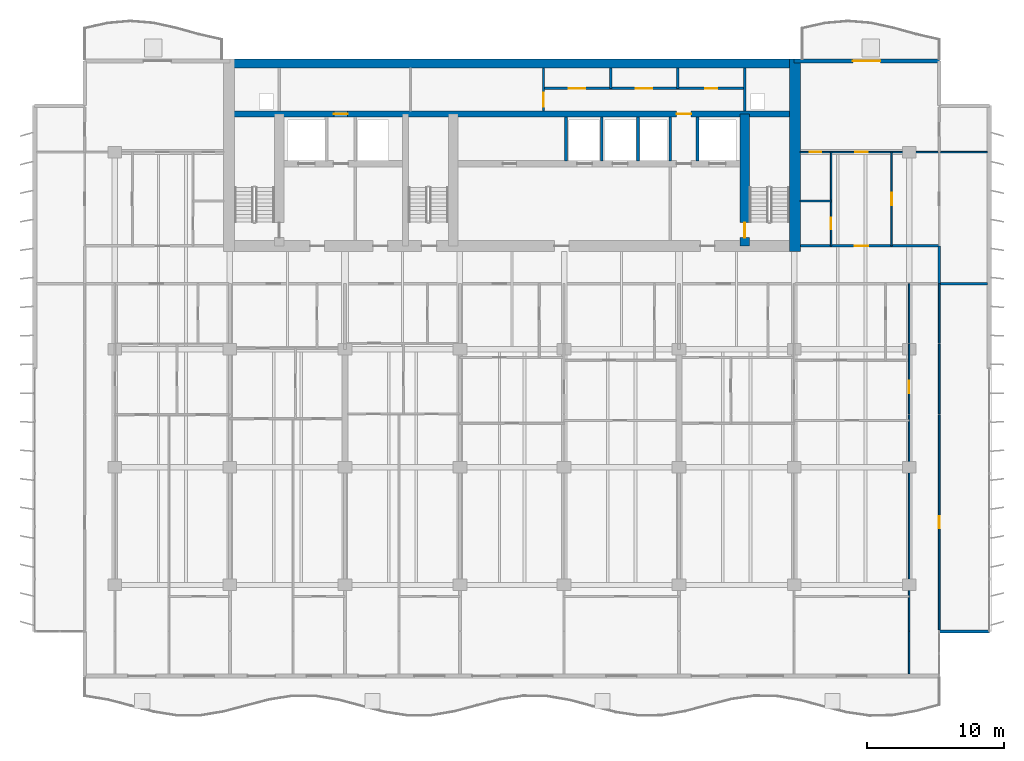
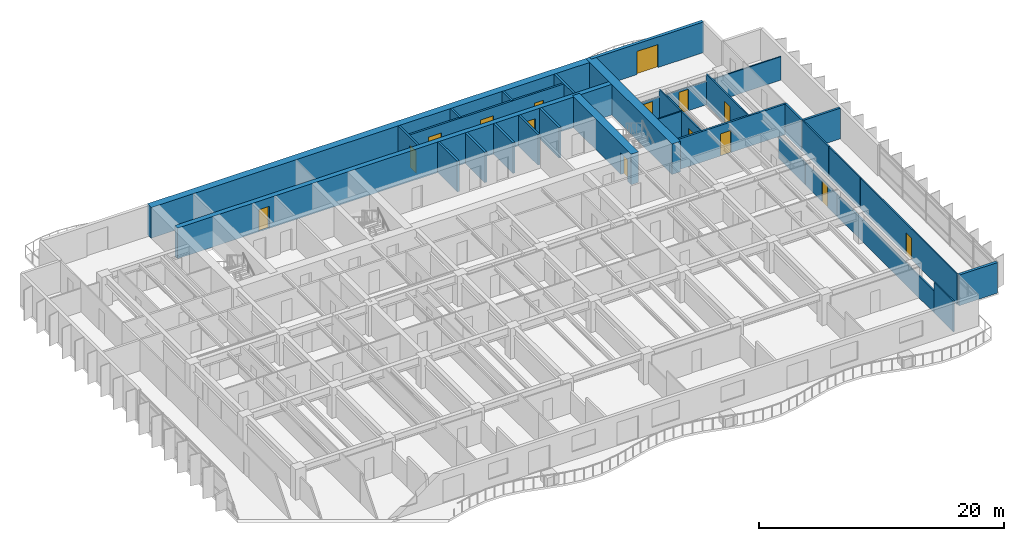
# One storey, part 11 of 16: 30 walls, 15 doors, 15 openings.
"""IFC4 building model written with IfcOpenShell, lengths in metres."""

import ifcopenshell
import ifcopenshell.guid

model = None  # the IFC model being written
_history = None  # IfcOwnerHistory: only IFC2X3 demands one
_inside = {}  # id of a spatial element -> (the spatial element, [elements in it])
_under = {}  # id of a project, library or spatial element -> (it, [spatial elements below it])
_declared = {}  # id of a project -> (the project, [libraries it declares])
_typed = {}  # id of a type object -> (the type object, [elements of that type])
_made_of = {}  # id of a material, layer set ... -> (it, [elements and type objects made of it])


def new_model(schema):
    """Start an empty IFC model of exactly this schema.

    Asked for "IFC4X3", IfcOpenShell would pick the latest addendum, in which some entities
    have other attributes; the version numbers below select the first issue.
    IFC2X3 requires an IfcOwnerHistory on every rooted entity: one is made here for all.
    """
    global model, _history
    if schema == "IFC4X3":
        model = ifcopenshell.file(schema_version=(4, 3, 0, 0))
    else:
        model = ifcopenshell.file(schema=schema)
    _inside.clear()
    _under.clear()
    _declared.clear()
    _typed.clear()
    _made_of.clear()
    _history = None
    if model.schema == "IFC2X3":
        org = make("IfcOrganization", Name="unknown")
        user = make(
            "IfcPersonAndOrganization",
            ThePerson=make("IfcPerson", FamilyName="unknown"),
            TheOrganization=org,
        )
        app = make(
            "IfcApplication",
            ApplicationDeveloper=org,
            Version="unknown",
            ApplicationFullName="unknown",
            ApplicationIdentifier="unknown",
        )
        _history = make(
            "IfcOwnerHistory",
            OwningUser=user,
            OwningApplication=app,
            ChangeAction="ADDED",
            CreationDate=0,
        )
    return model


def make(cls, **values):
    """One entity of the class cls with the attributes given. An attribute that is None is left unset."""
    return model.create_entity(
        cls, **{name: value for name, value in values.items() if value is not None}
    )


def rooted(cls, **values):
    """An entity with a GlobalId (a new one), such as an element, a storey or a relation."""
    return make(cls, GlobalId=ifcopenshell.guid.new(), OwnerHistory=_history, **values)


def si_unit(unit_type, name, prefix=None):
    """IfcSIUnit, for example si_unit("LENGTHUNIT", "METRE", prefix="MILLI")."""
    return make("IfcSIUnit", UnitType=unit_type, Prefix=prefix, Name=name)


def assignment(units):
    """IfcUnitAssignment: the units of a project."""
    return None if units is None else make("IfcUnitAssignment", Units=units)


def point(xyz):
    """IfcCartesianPoint."""
    return None if xyz is None else make("IfcCartesianPoint", Coordinates=xyz)


def direction(xyz):
    """IfcDirection."""
    return None if xyz is None else make("IfcDirection", DirectionRatios=xyz)


def frame(location, z_axis=None, x_axis=None):
    """IfcAxis2Placement3D, a coordinate frame: its origin and axes. An axis left out is left unset."""
    return make(
        "IfcAxis2Placement3D",
        Location=point(location),
        Axis=direction(z_axis),
        RefDirection=direction(x_axis),
    )


def frame_2d(location, x_axis=None):
    """IfcAxis2Placement2D, a coordinate frame in the plane: its origin and x axis."""
    return make(
        "IfcAxis2Placement2D", Location=point(location), RefDirection=direction(x_axis)
    )


def origin():
    """The frame at (0, 0, 0) with its axes left unset."""
    return frame((0.0, 0.0, 0.0))


def place(relative_to, where):
    """IfcLocalPlacement: puts the frame where relative to a parent placement (None: the world)."""
    return make(
        "IfcLocalPlacement", PlacementRelTo=relative_to, RelativePlacement=where
    )


def context(
    kind, dimensions, precision=None, world=None, true_north=None, identifier=None
):
    """IfcGeometricRepresentationContext, for example the 3D "Model" context."""
    return make(
        "IfcGeometricRepresentationContext",
        ContextIdentifier=identifier,
        ContextType=kind,
        CoordinateSpaceDimension=dimensions,
        Precision=precision,
        WorldCoordinateSystem=world,
        TrueNorth=true_north,
    )


def subcontext(parent, identifier, kind, view, scale=None):
    """IfcGeometricRepresentationSubContext, for example "Body" below "Model"."""
    return make(
        "IfcGeometricRepresentationSubContext",
        ContextIdentifier=identifier,
        ContextType=kind,
        ParentContext=parent,
        TargetScale=scale,
        TargetView=view,
    )


def project(units=None, contexts=None):
    """IfcProject with its units and contexts."""
    return rooted(
        "IfcProject",
        Name="project",
        RepresentationContexts=contexts,
        UnitsInContext=assignment(units),
    )


def spatial(cls, under=None, at=None, **own):
    """A site, building, storey or space (cls), placed at a placement, below another one or the project."""
    s = rooted(cls, ObjectPlacement=at, **own)
    if under is not None:
        _under.setdefault(under.id(), (under, []))[1].append(s)
    return s


def profile(cls, at=None, kind="AREA", **sizes):
    """A parametric profile (cls). Its sizes go by their IFC names, for example OverallWidth=200.0."""
    return make(cls, ProfileType=kind, Position=at, **sizes)


def rectangle(**sizes):
    """IfcRectangleProfileDef."""
    return profile("IfcRectangleProfileDef", **sizes)


def extrude(swept, where, along, depth):
    """IfcExtrudedAreaSolid: the profile swept, set in the frame where, extruded along a direction by depth."""
    return make(
        "IfcExtrudedAreaSolid",
        SweptArea=swept,
        Position=where,
        ExtrudedDirection=direction(along),
        Depth=depth,
    )


def shape(context_of_items, identifier, shape_type, items):
    """IfcShapeRepresentation: the items that make up one representation, for example the "Body"."""
    return make(
        "IfcShapeRepresentation",
        ContextOfItems=context_of_items,
        RepresentationIdentifier=identifier,
        RepresentationType=shape_type,
        Items=items,
    )


def material(Name=None, Category=None):
    """IfcMaterial."""
    return make("IfcMaterial", Name=Name, Category=Category)


def layer(
    of_material, thickness, ventilated=None, Name=None, Category=None, Priority=None
):
    """IfcMaterialLayer: one layer of a wall or slab, of a material (None: an air gap)."""
    return make(
        "IfcMaterialLayer",
        Material=of_material,
        LayerThickness=thickness,
        IsVentilated=ventilated,
        Name=Name,
        Category=Category,
        Priority=Priority,
    )


def layer_set(layers, Name=None):
    """IfcMaterialLayerSet."""
    return make("IfcMaterialLayerSet", MaterialLayers=layers, LayerSetName=Name)


def made_of(thing, what):
    """Note that an element or type object is made of a material, layer set ...; save() writes the relation."""
    if what is not None:
        _made_of.setdefault(what.id(), (what, []))[1].append(thing)
    return thing


def type_object(cls, material=None, **own):
    """A type object (cls), such as IfcWallType, which elements share."""
    return made_of(rooted(cls, **own), material)


def element(
    cls,
    number,
    at=None,
    inside=None,
    cuts=None,
    type_object=None,
    material=None,
    context=None,
    identifier="Body",
    shape_type=None,
    held_by="IfcProductDefinitionShape",
    body=None,
    shapes=None,
    **own,
):
    """One element of the class cls, such as IfcWall. Its Tag is "e" and its number.

    at: its placement. inside: the storey or other place that contains it. cuts: it is an
    opening in that element (IfcRelVoidsElement). A single representation is given by context,
    identifier, shape_type and body (its items); several are given by shapes. held_by: the class
    of the entity that holds the representations. save() writes the other relations.
    """
    e = rooted(cls, Tag="e%d" % number, ObjectPlacement=at, **own)
    if body is not None:
        shapes = [shape(context, identifier, shape_type, body)]
    if shapes is not None:
        e.Representation = make(held_by, Representations=shapes)
    if inside is not None:
        _inside.setdefault(inside.id(), (inside, []))[1].append(e)
    if cuts is not None:
        rooted(
            "IfcRelVoidsElement", RelatingBuildingElement=cuts, RelatedOpeningElement=e
        )
    if type_object is not None:
        _typed.setdefault(type_object.id(), (type_object, []))[1].append(e)
    return made_of(e, material)


def fill(opening, filler):
    """IfcRelFillsElement: the door or window that sits in an opening."""
    return rooted(
        "IfcRelFillsElement",
        RelatingOpeningElement=opening,
        RelatedBuildingElement=filler,
    )


def aggregate(whole, parts):
    """IfcRelAggregates: a whole, such as a stair, and the parts it consists of."""
    return rooted("IfcRelAggregates", RelatingObject=whole, RelatedObjects=parts)


def save(model, path):
    """Write the relations noted so far, then the file.

    IfcRelAggregates (storeys below a building ...), IfcRelContainedInSpatialStructure (elements
    in a storey), IfcRelDefinesByType, IfcRelAssociatesMaterial and IfcRelDeclares: one each for
    every whole, place, type object, material and project.
    """
    for whole, parts in _under.values():
        aggregate(whole, parts)
    for where, things in _inside.values():
        rooted(
            "IfcRelContainedInSpatialStructure",
            RelatedElements=things,
            RelatingStructure=where,
        )
    for kind, things in _typed.values():
        rooted("IfcRelDefinesByType", RelatedObjects=things, RelatingType=kind)
    for what, things in _made_of.values():
        rooted("IfcRelAssociatesMaterial", RelatedObjects=things, RelatingMaterial=what)
    for by, libraries in _declared.values():
        rooted("IfcRelDeclares", RelatingContext=by, RelatedDefinitions=libraries)
    model.write(path)


model = new_model("IFC4")

# Units and contexts
model_context = context("Model", 3, precision=1e-05, world=origin(), true_north=direction((0.0, 1.0)))
body_context = subcontext(model_context, "Body", "Model", "MODEL_VIEW")
ifc_project = project(units=[si_unit("LENGTHUNIT", "METRE"), si_unit("AREAUNIT", "SQUARE_METRE"), si_unit("VOLUMEUNIT", "CUBIC_METRE"), si_unit("PLANEANGLEUNIT", "RADIAN"), si_unit("MASSUNIT", "GRAM", prefix="KILO")], contexts=[model_context])

# Site, building, storey
site_placement = place(None, origin())
site = spatial("IfcSite", under=ifc_project, at=site_placement, CompositionType="ELEMENT")
building_placement = place(site_placement, origin())
building = spatial("IfcBuilding", under=site, at=building_placement, Name="Caelmar Bay Residences", CompositionType="ELEMENT")
storey_placement = place(building_placement, frame((0.0, 0.0, 142.199951171875)))
storey = spatial("IfcBuildingStorey", under=building, at=storey_placement, Name="L39", CompositionType="ELEMENT", Elevation=142.199951171875)

# Wall, opening, door
ifc_material_1 = material(Name="Concrete f'c 55 MPa (8,000 psi)", Category="concrete")
ifc_layer_1 = layer(ifc_material_1, 0.699951171875)
ifc_layer_set_1 = layer_set([ifc_layer_1], Name="Concrete f'c 55 MPa (8,000 psi)")
wall_type_1 = type_object("IfcWallType", Name="SW-COR-700", PredefinedType="SHEAR", material=ifc_layer_set_1)
wall_1_placement = place(storey_placement, frame((55.89990234375, 36.949951171875, 0.0), z_axis=(0.0, 0.0, 1.0), x_axis=(0.0, 1.0, 0.0)))
wall_1 = element("IfcWall", 1, at=wall_1_placement, inside=storey, type_object=wall_type_1, Name="L39 Core Structural Web Wall ST2W", PredefinedType="SHEAR", context=body_context, shape_type="SweptSolid", body=[
    extrude(rectangle(XDim=9.625, YDim=0.699951171875, at=frame_2d((4.8125, 0.0))), origin(), (0.0, 0.0, 1.0), 3.050048828125),
])
opening_1_placement = place(wall_1_placement, frame((0.60009765625, 0.0, 0.0)))
opening_1 = element("IfcOpeningElement", 2, at=opening_1_placement, cuts=wall_1, Name="Opening D-L39-110", PredefinedType="OPENING", context=body_context, shape_type="SweptSolid", body=[
    extrude(rectangle(XDim=1.10009765625, YDim=2.14990234375, at=frame_2d((0.550048828125, 1.074951171875))), frame((0.0, 0.35986328125, 0.0), z_axis=(0.0, -1.0, 0.0), x_axis=(1.0, 0.0, 0.0)), (0.0, 0.0, 1.0), 0.719970703125),
])
ifc_material_2 = material(Name="Fire-rated steel and walnut architectural door assembly", Category="steel")
ifc_layer_2 = layer(ifc_material_2, 0.050048828125)
ifc_layer_set_2 = layer_set([ifc_layer_2], Name="Fire-rated steel and walnut architectural door assembly")
door_type_1 = type_object("IfcDoorType", Name="D-STAIR-1100", OperationType="NOTDEFINED", PredefinedType="DOOR", material=ifc_layer_set_2)
door_1_placement = place(opening_1_placement, origin())
door_1 = element("IfcDoor", 3, at=door_1_placement, inside=storey, type_object=door_type_1, Name="L39 Firefighting Lobby East Door", OperationType="SINGLE_SWING_RIGHT", OverallHeight=2.14990234375, OverallWidth=1.10009765625, PredefinedType="DOOR", context=body_context, shape_type="SweptSolid", body=[
    extrude(rectangle(XDim=1.10009765625, YDim=2.14990234375, at=frame_2d((0.550048828125, 1.074951171875))), frame((0.0, 0.02490234375, 0.0), z_axis=(0.0, -1.0, 0.0), x_axis=(1.0, 0.0, 0.0)), (0.0, 0.0, 1.0), 0.050048828125),
])
fill(opening_1, door_1)

# Walls
ifc_material_3 = material(Name="Concrete f'c 70 MPa (10,000 psi)", Category="concrete")
ifc_layer_3 = layer(ifc_material_3, 0.800048828125)
ifc_layer_set_3 = layer_set([ifc_layer_3], Name="Concrete f'c 70 MPa (10,000 psi)")
wall_type_2 = type_object("IfcWallType", Name="SW-COR-800", PredefinedType="SHEAR", material=ifc_layer_set_3)
wall_2_placement = place(storey_placement, frame((59.550048828125, 36.550048828125, 0.0), z_axis=(0.0, 0.0, 1.0), x_axis=(0.0, 1.0, 0.0)))
element("IfcWall", 4, at=wall_2_placement, inside=storey, type_object=wall_type_2, Name="L39 Rear Core East Shear Wall", PredefinedType="SHEAR", context=body_context, shape_type="SweptSolid", body=[
    extrude(rectangle(XDim=14.050048828125, YDim=0.800048828125, at=frame_2d((7.02490234375, 0.0))), origin(), (0.0, 0.0, 1.0), 3.050048828125),
])
ifc_layer_4 = layer(ifc_material_1, 0.64990234375)
ifc_layer_set_4 = layer_set([ifc_layer_4], Name="Concrete f'c 55 MPa (8,000 psi)")
wall_type_3 = type_object("IfcWallType", Name="SW-CORN-650", PredefinedType="SHEAR", material=ifc_layer_set_4)
wall_3_placement = place(storey_placement, frame((17.85009765625, 50.27490234375, 0.0), z_axis=(0.0, 0.0, 1.0), x_axis=(1.0, 0.0, 0.0)))
element("IfcWall", 5, at=wall_3_placement, inside=storey, type_object=wall_type_3, Name="L39 Rear Core North Shear Wall", PredefinedType="SHEAR", context=body_context, shape_type="SweptSolid", body=[
    extrude(rectangle(XDim=42.099853515625, YDim=0.64990234375, at=frame_2d((21.0498046875, 0.0))), origin(), (0.0, 0.0, 1.0), 3.050048828125),
])

# Wall, openings, doors
ifc_layer_5 = layer(ifc_material_3, 0.449951171875)
ifc_layer_set_5 = layer_set([ifc_layer_5], Name="Concrete f'c 70 MPa (10,000 psi)")
wall_type_4 = type_object("IfcWallType", Name="SW-WEB-450", PredefinedType="SHEAR", material=ifc_layer_set_5)
wall_4_placement = place(storey_placement, frame((18.25, 46.574951171875, 0.0), z_axis=(0.0, 0.0, 1.0), x_axis=(1.0, 0.0, 0.0)))
wall_4 = element("IfcWall", 6, at=wall_4_placement, inside=storey, type_object=wall_type_4, Name="L39 Core Structural Web Wall SRVS", PredefinedType="SHEAR", context=body_context, shape_type="SweptSolid", body=[
    extrude(rectangle(XDim=41.300048828125, YDim=0.449951171875, at=frame_2d((20.64990234375, 0.0))), origin(), (0.0, 0.0, 1.0), 3.050048828125),
])
opening_2_placement = place(wall_4_placement, frame((7.64990234375, 0.0, 0.0)))
opening_2 = element("IfcOpeningElement", 7, at=opening_2_placement, cuts=wall_4, Name="Opening D-L39-115", PredefinedType="OPENING", context=body_context, shape_type="SweptSolid", body=[
    extrude(rectangle(XDim=1.0, YDim=2.199951171875, at=frame_2d((0.5, 1.10009765625))), frame((0.0, 0.23486328125, 0.0), z_axis=(0.0, -1.0, 0.0), x_axis=(1.0, 0.0, 0.0)), (0.0, 0.0, 1.0), 0.469970703125),
])
opening_3_placement = place(wall_4_placement, frame((32.675048828125, 0.0, 0.0)))
opening_3 = element("IfcOpeningElement", 8, at=opening_3_placement, cuts=wall_4, Name="Opening D-L39-116", PredefinedType="OPENING", context=body_context, shape_type="SweptSolid", body=[
    extrude(rectangle(XDim=1.050048828125, YDim=2.14990234375, at=frame_2d((0.52490234375, 1.074951171875))), frame((0.0, 0.23486328125, 0.0), z_axis=(0.0, -1.0, 0.0), x_axis=(1.0, 0.0, 0.0)), (0.0, 0.0, 1.0), 0.469970703125),
])
ifc_layer_6 = layer(ifc_material_2, 0.050048828125)
ifc_layer_set_6 = layer_set([ifc_layer_6], Name="Fire-rated steel and walnut architectural door assembly")
door_type_2 = type_object("IfcDoorType", Name="D-FSAE-1050", OperationType="NOTDEFINED", PredefinedType="DOOR", material=ifc_layer_set_6)
door_2_placement = place(opening_3_placement, origin())
door_2 = element("IfcDoor", 9, at=door_2_placement, inside=storey, type_object=door_type_2, Name="L39 East Core Service Corridor Door", OperationType="SINGLE_SWING_RIGHT", OverallHeight=2.14990234375, OverallWidth=1.050048828125, PredefinedType="DOOR", context=body_context, shape_type="SweptSolid", body=[
    extrude(rectangle(XDim=1.050048828125, YDim=2.14990234375, at=frame_2d((0.52490234375, 1.074951171875))), frame((0.0, 0.02490234375, 0.0), z_axis=(0.0, -1.0, 0.0), x_axis=(1.0, 0.0, 0.0)), (0.0, 0.0, 1.0), 0.050048828125),
])
fill(opening_3, door_2)
ifc_layer_7 = layer(ifc_material_2, 0.050048828125)
ifc_layer_set_7 = layer_set([ifc_layer_7], Name="Fire-rated steel and walnut architectural door assembly")
door_type_3 = type_object("IfcDoorType", Name="D-UNIT-1000", OperationType="NOTDEFINED", PredefinedType="DOOR", material=ifc_layer_set_7)
door_3_placement = place(opening_2_placement, origin())
door_3 = element("IfcDoor", 10, at=door_3_placement, inside=storey, type_object=door_type_3, Name="L39 Package Concierge Office Door", OperationType="SINGLE_SWING_LEFT", OverallHeight=2.199951171875, OverallWidth=1.0, PredefinedType="DOOR", context=body_context, shape_type="SweptSolid", body=[
    extrude(rectangle(XDim=1.0, YDim=2.199951171875, at=frame_2d((0.5, 1.10009765625))), frame((0.0, 0.02490234375, 0.0), z_axis=(0.0, -1.0, 0.0), x_axis=(1.0, 0.0, 0.0)), (0.0, 0.0, 1.0), 0.050048828125),
])
fill(opening_2, door_3)

# Wall, opening, door
ifc_material_4 = material(Name="Double-stud acoustic fire-rated gypsum partition 180 mm")
ifc_layer_8 = layer(ifc_material_4, 0.179931640625)
ifc_layer_set_8 = layer_set([ifc_layer_8], Name="Double-stud acoustic fire-rated gypsum partition 180 mm")
wall_type_5 = type_object("IfcWallType", Name="W-COR-200", PredefinedType="PARTITIONING", material=ifc_layer_set_8)
wall_5_placement = place(storey_placement, frame((41.199951171875, 46.794921875, 0.0), z_axis=(0.0, 0.0, 1.0), x_axis=(0.0, 1.0, 0.0)))
wall_5 = element("IfcWall", 11, at=wall_5_placement, inside=storey, type_object=wall_type_5, Name="L39 Partition Wall V046", PredefinedType="PARTITIONING", context=body_context, shape_type="SweptSolid", body=[
    extrude(rectangle(XDim=3.16015625, YDim=0.179931640625, at=frame_2d((1.580078125, 0.0))), origin(), (0.0, 0.0, 1.0), 3.050048828125),
])
opening_4_placement = place(wall_5_placement, frame((0.327392578125, 0.0, 0.0)))
opening_4 = element("IfcOpeningElement", 12, at=opening_4_placement, cuts=wall_5, Name="Opening D-L39-117", PredefinedType="OPENING", context=body_context, shape_type="SweptSolid", body=[
    extrude(rectangle(XDim=1.0, YDim=2.199951171875, at=frame_2d((0.5, 1.10009765625))), frame((0.0, 0.099853515625, 0.0), z_axis=(0.0, -1.0, 0.0), x_axis=(1.0, 0.0, 0.0)), (0.0, 0.0, 1.0), 0.199951171875),
])
door_4_placement = place(opening_4_placement, origin())
door_4 = element("IfcDoor", 13, at=door_4_placement, inside=storey, type_object=door_type_3, Name="L39 Engineering Control Office Door", OperationType="SINGLE_SWING_LEFT", OverallHeight=2.199951171875, OverallWidth=1.0, PredefinedType="DOOR", context=body_context, shape_type="SweptSolid", body=[
    extrude(rectangle(XDim=1.0, YDim=2.199951171875, at=frame_2d((0.5, 1.10009765625))), frame((0.0, 0.02490234375, 0.0), z_axis=(0.0, -1.0, 0.0), x_axis=(1.0, 0.0, 0.0)), (0.0, 0.0, 1.0), 0.050048828125),
])
fill(opening_4, door_4)

# Walls
for number, where, z_axis, x_axis, name in (
    (14, (46.10009765625, 48.449951171875, 0.0), (0.0, 0.0, 1.0), (0.0, 1.0, 0.0), "L39 Partition Wall V053"),
    (15, (51.0, 48.449951171875, 0.0), (0.0, 0.0, 1.0), (0.0, 1.0, 0.0), "L39 Partition Wall V059"),
):
    element("IfcWall", number, at=place(storey_placement, frame(where, z_axis=z_axis, x_axis=x_axis)), inside=storey, type_object=wall_type_5, Name=name, PredefinedType="PARTITIONING", context=body_context, shape_type="SweptSolid", body=[
        extrude(rectangle(XDim=1.505126953125, YDim=0.179931640625, at=frame_2d((0.75244140625, 0.0))), origin(), (0.0, 0.0, 1.0), 3.050048828125),
    ])
wall_6_placement = place(storey_placement, frame((70.10009765625, 34.205078125, 0.0), z_axis=(0.0, 0.0, 1.0), x_axis=(0.0, 1.0, 0.0)))
element("IfcWall", 16, at=wall_6_placement, inside=storey, type_object=wall_type_5, Name="L39 Partition Wall V085", PredefinedType="PARTITIONING", context=body_context, shape_type="SweptSolid", body=[
    extrude(rectangle(XDim=2.744873046875, YDim=0.179931640625, at=frame_2d((1.37255859375, 0.0))), origin(), (0.0, 0.0, 1.0), 3.050048828125),
])

# Wall, opening, door
wall_7_placement = place(storey_placement, frame((59.955078125, 36.949951171875, 0.0), z_axis=(0.0, 0.0, 1.0), x_axis=(1.0, 0.0, 0.0)))
wall_7 = element("IfcWall", 17, at=wall_7_placement, inside=storey, type_object=wall_type_5, Name="L39 Partition Wall H113", PredefinedType="PARTITIONING", context=body_context, shape_type="SweptSolid", body=[
    extrude(rectangle(XDim=10.14501953125, YDim=0.179931640625, at=frame_2d((5.072509765625, 0.0))), origin(), (0.0, 0.0, 1.0), 3.050048828125),
])
opening_5_placement = place(wall_7_placement, frame((3.95703125, 0.0, 0.0)))
opening_5 = element("IfcOpeningElement", 18, at=opening_5_placement, cuts=wall_7, Name="Opening D-L39-173", PredefinedType="OPENING", context=body_context, shape_type="SweptSolid", body=[
    extrude(rectangle(XDim=1.0, YDim=2.199951171875, at=frame_2d((0.5, 1.10009765625))), frame((0.0, 0.099853515625, 0.0), z_axis=(0.0, -1.0, 0.0), x_axis=(1.0, 0.0, 0.0)), (0.0, 0.0, 1.0), 0.199951171875),
])
door_5_placement = place(opening_5_placement, origin())
door_5 = element("IfcDoor", 19, at=door_5_placement, inside=storey, type_object=door_type_3, Name="L39 Residence EA Kitchen Door", OperationType="SINGLE_SWING_LEFT", OverallHeight=2.199951171875, OverallWidth=1.0, PredefinedType="DOOR", context=body_context, shape_type="SweptSolid", body=[
    extrude(rectangle(XDim=1.0, YDim=2.199951171875, at=frame_2d((0.5, 1.10009765625))), frame((0.0, 0.02490234375, 0.0), z_axis=(0.0, -1.0, 0.0), x_axis=(1.0, 0.0, 0.0)), (0.0, 0.0, 1.0), 0.050048828125),
])
fill(opening_5, door_5)

# Wall, openings, doors
wall_8_placement = place(storey_placement, frame((41.199951171875, 48.449951171875, 0.0), z_axis=(0.0, 0.0, 1.0), x_axis=(1.0, 0.0, 0.0)))
wall_8 = element("IfcWall", 20, at=wall_8_placement, inside=storey, type_object=wall_type_5, Name="L39 Partition Wall H118", PredefinedType="PARTITIONING", context=body_context, shape_type="SweptSolid", body=[
    extrude(rectangle(XDim=14.699951171875, YDim=0.179931640625, at=frame_2d((7.35009765625, 0.0))), origin(), (0.0, 0.0, 1.0), 3.050048828125),
])
opening_6_placement = place(wall_8_placement, frame((1.85009765625, 0.0, 0.0)))
opening_6 = element("IfcOpeningElement", 21, at=opening_6_placement, cuts=wall_8, Name="Opening D-L39-118", PredefinedType="OPENING", context=body_context, shape_type="SweptSolid", body=[
    extrude(rectangle(XDim=1.199951171875, YDim=2.199951171875, at=frame_2d((0.60009765625, 1.10009765625))), frame((0.0, 0.099853515625, 0.0), z_axis=(0.0, -1.0, 0.0), x_axis=(1.0, 0.0, 0.0)), (0.0, 0.0, 1.0), 0.199951171875),
])
opening_7_placement = place(wall_8_placement, frame((6.75, 0.0, 0.0)))
opening_7 = element("IfcOpeningElement", 22, at=opening_7_placement, cuts=wall_8, Name="Opening D-L39-119", PredefinedType="OPENING", context=body_context, shape_type="SweptSolid", body=[
    extrude(rectangle(XDim=1.199951171875, YDim=2.199951171875, at=frame_2d((0.60009765625, 1.10009765625))), frame((0.0, 0.099853515625, 0.0), z_axis=(0.0, -1.0, 0.0), x_axis=(1.0, 0.0, 0.0)), (0.0, 0.0, 1.0), 0.199951171875),
])
opening_8_placement = place(wall_8_placement, frame((11.824951171875, 0.0, 0.0)))
opening_8 = element("IfcOpeningElement", 23, at=opening_8_placement, cuts=wall_8, Name="Opening D-L39-120", PredefinedType="OPENING", context=body_context, shape_type="SweptSolid", body=[
    extrude(rectangle(XDim=0.85009765625, YDim=2.10009765625, at=frame_2d((0.425048828125, 1.050048828125))), frame((0.0, 0.099853515625, 0.0), z_axis=(0.0, -1.0, 0.0), x_axis=(1.0, 0.0, 0.0)), (0.0, 0.0, 1.0), 0.199951171875),
])
ifc_layer_9 = layer(ifc_material_2, 0.050048828125)
ifc_layer_set_9 = layer_set([ifc_layer_9], Name="Fire-rated steel and walnut architectural door assembly")
door_type_4 = type_object("IfcDoorType", Name="D-CORE-850", OperationType="NOTDEFINED", PredefinedType="DOOR", material=ifc_layer_set_9)
door_6_placement = place(opening_8_placement, origin())
door_6 = element("IfcDoor", 24, at=door_6_placement, inside=storey, type_object=door_type_4, Name="L39 Accessible Staff WC Door", OperationType="SINGLE_SWING_RIGHT", OverallHeight=2.10009765625, OverallWidth=0.85009765625, PredefinedType="DOOR", context=body_context, shape_type="SweptSolid", body=[
    extrude(rectangle(XDim=0.85009765625, YDim=2.10009765625, at=frame_2d((0.425048828125, 1.050048828125))), frame((0.0, 0.02490234375, 0.0), z_axis=(0.0, -1.0, 0.0), x_axis=(1.0, 0.0, 0.0)), (0.0, 0.0, 1.0), 0.050048828125),
])
fill(opening_8, door_6)
ifc_layer_10 = layer(ifc_material_2, 0.050048828125)
ifc_layer_set_10 = layer_set([ifc_layer_10], Name="Fire-rated steel and walnut architectural door assembly")
door_type_5 = type_object("IfcDoorType", Name="D-PLANT-1200", OperationType="NOTDEFINED", PredefinedType="DOOR", material=ifc_layer_set_10)
door_7_placement = place(opening_6_placement, origin())
door_7 = element("IfcDoor", 25, at=door_7_placement, inside=storey, type_object=door_type_5, Name="L39 Electrical Closet Door", OperationType="SINGLE_SWING_RIGHT", OverallHeight=2.199951171875, OverallWidth=1.199951171875, PredefinedType="DOOR", context=body_context, shape_type="SweptSolid", body=[
    extrude(rectangle(XDim=1.199951171875, YDim=2.199951171875, at=frame_2d((0.60009765625, 1.10009765625))), frame((0.0, 0.02490234375, 0.0), z_axis=(0.0, -1.0, 0.0), x_axis=(1.0, 0.0, 0.0)), (0.0, 0.0, 1.0), 0.050048828125),
])
fill(opening_6, door_7)
door_8_placement = place(opening_7_placement, origin())
door_8 = element("IfcDoor", 26, at=door_8_placement, inside=storey, type_object=door_type_5, Name="L39 Housekeeping Linen Closet Door", OperationType="SINGLE_SWING_LEFT", OverallHeight=2.199951171875, OverallWidth=1.199951171875, PredefinedType="DOOR", context=body_context, shape_type="SweptSolid", body=[
    extrude(rectangle(XDim=1.199951171875, YDim=2.199951171875, at=frame_2d((0.60009765625, 1.10009765625))), frame((0.0, 0.02490234375, 0.0), z_axis=(0.0, -1.0, 0.0), x_axis=(1.0, 0.0, 0.0)), (0.0, 0.0, 1.0), 0.050048828125),
])
fill(opening_7, door_8)

# Wall
ifc_material_5 = material(Name="Precast concrete f'c 40 MPa (6,000 psi)", Category="concrete")
ifc_layer_11 = layer(ifc_material_5, 0.25)
ifc_layer_set_11 = layer_set([ifc_layer_11], Name="Precast concrete f'c 40 MPa (6,000 psi)")
wall_type_6 = type_object("IfcWallType", Name="W-EXT-250", PredefinedType="ELEMENTEDWALL", material=ifc_layer_set_11)
wall_9_placement = place(storey_placement, frame((70.10009765625, 8.800048828125, 0.0), z_axis=(0.0, 0.0, 1.0), x_axis=(1.0, 0.0, 0.0)))
element("IfcWall", 27, at=wall_9_placement, inside=storey, type_object=wall_type_6, Name="L39 SE Notch Return Wall", PredefinedType="ELEMENTEDWALL", context=body_context, shape_type="SweptSolid", body=[
    extrude(rectangle(XDim=3.64990234375, YDim=0.25, at=frame_2d((1.824951171875, 0.0))), origin(), (0.0, 0.0, 1.0), 3.050048828125),
])

# Wall, opening, door
ifc_layer_12 = layer(ifc_material_5, 0.300048828125)
ifc_layer_set_12 = layer_set([ifc_layer_12], Name="Precast concrete f'c 40 MPa (6,000 psi)")
wall_type_7 = type_object("IfcWallType", Name="W-EXT-300", PredefinedType="STANDARD", material=ifc_layer_set_12)
wall_10_placement = place(storey_placement, frame((59.5, 50.449951171875, 0.0), z_axis=(0.0, 0.0, 1.0), x_axis=(1.0, 0.0, 0.0)))
wall_10 = element("IfcWall", 28, at=wall_10_placement, inside=storey, type_object=wall_type_7, Name="L39 North-East Wing Exterior Wall", PredefinedType="STANDARD", context=body_context, shape_type="SweptSolid", body=[
    extrude(rectangle(XDim=10.60009765625, YDim=0.300048828125, at=frame_2d((5.300048828125, 0.0))), origin(), (0.0, 0.0, 1.0), 3.050048828125),
])
opening_9_placement = place(wall_10_placement, frame((4.300048828125, 0.0, 0.0)))
opening_9 = element("IfcOpeningElement", 29, at=opening_9_placement, cuts=wall_10, Name="Opening L39-BDNE", PredefinedType="OPENING", context=body_context, shape_type="SweptSolid", body=[
    extrude(rectangle(XDim=2.0, YDim=2.300048828125, at=frame_2d((1.0, 1.14990234375))), frame((0.0, 0.159912109375, 0.0), z_axis=(0.0, -1.0, 0.0), x_axis=(1.0, 0.0, 0.0)), (0.0, 0.0, 1.0), 0.320068359375),
])
ifc_material_6 = material(Name="Anodised bronze thermally broken sliding glass door", Category="glass")
ifc_layer_13 = layer(ifc_material_6, 0.050048828125)
ifc_layer_set_13 = layer_set([ifc_layer_13], Name="Anodised bronze thermally broken sliding glass door")
door_type_6 = type_object("IfcDoorType", Name="D-BAL-2000", OperationType="DOUBLE_DOOR_SLIDING", PredefinedType="DOOR", material=ifc_layer_set_13)
door_9_placement = place(opening_9_placement, origin())
door_9 = element("IfcDoor", 30, at=door_9_placement, inside=storey, type_object=door_type_6, Name="L39 North-East Balcony Door", OperationType="DOUBLE_DOOR_SLIDING", OverallHeight=2.300048828125, OverallWidth=2.0, PredefinedType="DOOR", context=body_context, shape_type="SweptSolid", body=[
    extrude(rectangle(XDim=2.0, YDim=2.300048828125, at=frame_2d((1.0, 1.14990234375))), frame((0.0, 0.02490234375, 0.0), z_axis=(0.0, -1.0, 0.0), x_axis=(1.0, 0.0, 0.0)), (0.0, 0.0, 1.0), 0.050048828125),
])
fill(opening_9, door_9)

# Walls
ifc_material_7 = material(Name="Fire-rated masonry and gypsum shaftliner assembly 200 mm", Category="masonry")
ifc_layer_14 = layer(ifc_material_7, 0.199951171875)
ifc_layer_set_14 = layer_set([ifc_layer_14], Name="Fire-rated masonry and gypsum shaftliner assembly 200 mm")
wall_type_8 = type_object("IfcWallType", Name="W-FSAE-200", PredefinedType="PARTITIONING", material=ifc_layer_set_14)
for number, where, z_axis, x_axis, name in (
    (31, (42.85009765625, 43.169921875, 0.0), (0.0, 0.0, 1.0), (0.0, 1.0, 0.0), "L39 Partition Wall V051"),
    (32, (45.449951171875, 43.169921875, 0.0), (0.0, 0.0, 1.0), (0.0, 1.0, 0.0), "L39 Partition Wall V052"),
    (33, (48.10009765625, 43.169921875, 0.0), (0.0, 0.0, 1.0), (0.0, 1.0, 0.0), "L39 Partition Wall V054"),
    (34, (50.449951171875, 43.169921875, 0.0), (0.0, 0.0, 1.0), (0.0, 1.0, 0.0), "L39 Partition Wall V058"),
    (35, (52.449951171875, 43.169921875, 0.0), (0.0, 0.0, 1.0), (0.0, 1.0, 0.0), "L39 Partition Wall V064"),
):
    element("IfcWall", number, at=place(storey_placement, frame(where, z_axis=z_axis, x_axis=x_axis)), inside=storey, type_object=wall_type_8, Name=name, PredefinedType="PARTITIONING", context=body_context, shape_type="SweptSolid", body=[
        extrude(rectangle(XDim=3.18505859375, YDim=0.199951171875, at=frame_2d((1.592529296875, 0.0))), origin(), (0.0, 0.0, 1.0), 3.050048828125),
    ])
wall_11_placement = place(storey_placement, frame((55.89990234375, 46.794921875, 0.0), z_axis=(0.0, 0.0, 1.0), x_axis=(0.0, 1.0, 0.0)))
element("IfcWall", 36, at=wall_11_placement, inside=storey, type_object=wall_type_8, Name="L39 Partition Wall V067", PredefinedType="PARTITIONING", context=body_context, shape_type="SweptSolid", body=[
    extrude(rectangle(XDim=3.16015625, YDim=0.199951171875, at=frame_2d((1.580078125, 0.0))), origin(), (0.0, 0.0, 1.0), 3.050048828125),
])

# Wall, opening, door
ifc_material_8 = material(Name="Acoustic metal-stud gypsum partition 120 mm")
ifc_layer_15 = layer(ifc_material_8, 0.1201171875)
ifc_layer_set_15 = layer_set([ifc_layer_15], Name="Acoustic metal-stud gypsum partition 120 mm")
wall_type_9 = type_object("IfcWallType", Name="W-PRT-120", PredefinedType="PARTITIONING", material=ifc_layer_set_15)
wall_12_placement = place(storey_placement, frame((62.199951171875, 36.949951171875, 0.0), z_axis=(0.0, 0.0, 1.0), x_axis=(0.0, 1.0, 0.0)))
wall_12 = element("IfcWall", 37, at=wall_12_placement, inside=storey, type_object=wall_type_9, Name="L39 Partition Wall V074", PredefinedType="PARTITIONING", context=body_context, shape_type="SweptSolid", body=[
    extrude(rectangle(XDim=6.85009765625, YDim=0.1201171875, at=frame_2d((3.425048828125, 0.0))), origin(), (0.0, 0.0, 1.0), 3.050048828125),
])
opening_10_placement = place(wall_12_placement, frame((1.218994140625, 0.0, 0.0)))
opening_10 = element("IfcOpeningElement", 38, at=opening_10_placement, cuts=wall_12, Name="Opening D-L39-175", PredefinedType="OPENING", context=body_context, shape_type="SweptSolid", body=[
    extrude(rectangle(XDim=0.85009765625, YDim=2.10009765625, at=frame_2d((0.425048828125, 1.050048828125))), frame((0.0, 0.070068359375, 0.0), z_axis=(0.0, -1.0, 0.0), x_axis=(1.0, 0.0, 0.0)), (0.0, 0.0, 1.0), 0.14013671875),
])
ifc_material_9 = material(Name="Solid walnut timber interior door leaf and frame", Category="wood")
ifc_layer_16 = layer(ifc_material_9, 0.050048828125)
ifc_layer_set_16 = layer_set([ifc_layer_16], Name="Solid walnut timber interior door leaf and frame")
door_type_7 = type_object("IfcDoorType", Name="D-BATH-850", OperationType="NOTDEFINED", PredefinedType="DOOR", material=ifc_layer_set_16)
door_10_placement = place(opening_10_placement, origin())
door_10 = element("IfcDoor", 39, at=door_10_placement, inside=storey, type_object=door_type_7, Name="L39 Residence EA Walk-In Closet Door", OperationType="SINGLE_SWING_LEFT", OverallHeight=2.10009765625, OverallWidth=0.85009765625, PredefinedType="DOOR", context=body_context, shape_type="SweptSolid", body=[
    extrude(rectangle(XDim=0.85009765625, YDim=2.10009765625, at=frame_2d((0.425048828125, 1.050048828125))), frame((0.0, 0.02490234375, 0.0), z_axis=(0.0, -1.0, 0.0), x_axis=(1.0, 0.0, 0.0)), (0.0, 0.0, 1.0), 0.050048828125),
])
fill(opening_10, door_10)

wall_13_placement = place(storey_placement, frame((66.6240234375, 36.949951171875, 0.0), z_axis=(0.0, 0.0, 1.0), x_axis=(0.0, 1.0, 0.0)))
wall_13 = element("IfcWall", 40, at=wall_13_placement, inside=storey, type_object=wall_type_9, Name="L39 Partition Wall V077", PredefinedType="PARTITIONING", context=body_context, shape_type="SweptSolid", body=[
    extrude(rectangle(XDim=6.85009765625, YDim=0.1201171875, at=frame_2d((3.425048828125, 0.0))), origin(), (0.0, 0.0, 1.0), 3.050048828125),
])
opening_11_placement = place(wall_13_placement, frame((2.97509765625, 0.0, 0.0)))
opening_11 = element("IfcOpeningElement", 41, at=opening_11_placement, cuts=wall_13, Name="Opening D-L39-172", PredefinedType="OPENING", context=body_context, shape_type="SweptSolid", body=[
    extrude(rectangle(XDim=0.89990234375, YDim=2.14990234375, at=frame_2d((0.449951171875, 1.074951171875))), frame((0.0, 0.070068359375, 0.0), z_axis=(0.0, -1.0, 0.0), x_axis=(1.0, 0.0, 0.0)), (0.0, 0.0, 1.0), 0.14013671875),
])
ifc_layer_17 = layer(ifc_material_9, 0.050048828125)
ifc_layer_set_17 = layer_set([ifc_layer_17], Name="Solid walnut timber interior door leaf and frame")
door_type_8 = type_object("IfcDoorType", Name="D-ROOM-900", OperationType="NOTDEFINED", PredefinedType="DOOR", material=ifc_layer_set_17)
door_11_placement = place(opening_11_placement, origin())
door_11 = element("IfcDoor", 42, at=door_11_placement, inside=storey, type_object=door_type_8, Name="L39 Residence EA Dining Room Door", OperationType="SINGLE_SWING_RIGHT", OverallHeight=2.14990234375, OverallWidth=0.89990234375, PredefinedType="DOOR", context=body_context, shape_type="SweptSolid", body=[
    extrude(rectangle(XDim=0.89990234375, YDim=2.14990234375, at=frame_2d((0.449951171875, 1.074951171875))), frame((0.0, 0.02490234375, 0.0), z_axis=(0.0, -1.0, 0.0), x_axis=(1.0, 0.0, 0.0)), (0.0, 0.0, 1.0), 0.050048828125),
])
fill(opening_11, door_11)

# Walls
wall_14_placement = place(storey_placement, frame((67.89990234375, 5.695068359375, 0.0), z_axis=(0.0, 0.0, 1.0), x_axis=(0.0, 1.0, 0.0)))
element("IfcWall", 43, at=wall_14_placement, inside=storey, type_object=wall_type_9, Name="L39 Partition Wall V078", PredefinedType="PARTITIONING", context=body_context, shape_type="SweptSolid", body=[
    extrude(rectangle(XDim=3.10498046875, YDim=0.1201171875, at=frame_2d((1.552490234375, 0.0))), origin(), (0.0, 0.0, 1.0), 3.050048828125),
])
wall_15_placement = place(storey_placement, frame((67.89990234375, 8.840087890625, 0.0), z_axis=(0.0, 0.0, 1.0), x_axis=(0.0, 1.0, 0.0)))
element("IfcWall", 44, at=wall_15_placement, inside=storey, type_object=wall_type_9, Name="L39 Partition Wall V079", PredefinedType="PARTITIONING", context=body_context, shape_type="SweptSolid", body=[
    extrude(rectangle(XDim=15.789794921875, YDim=0.1201171875, at=frame_2d((7.89501953125, 0.0))), origin(), (0.0, 0.0, 1.0), 2.174072265625),
])

# Wall, opening, door
wall_16_placement = place(storey_placement, frame((67.89990234375, 24.68994140625, 0.0), z_axis=(0.0, 0.0, 1.0), x_axis=(0.0, 1.0, 0.0)))
wall_16 = element("IfcWall", 45, at=wall_16_placement, inside=storey, type_object=wall_type_9, Name="L39 Partition Wall V080", PredefinedType="PARTITIONING", context=body_context, shape_type="SweptSolid", body=[
    extrude(rectangle(XDim=5.090087890625, YDim=0.1201171875, at=frame_2d((2.544921875, 0.0))), origin(), (0.0, 0.0, 1.0), 2.174072265625),
])
opening_12_placement = place(wall_16_placement, frame((1.5048828125, 0.0, 0.0)))
opening_12 = element("IfcOpeningElement", 46, at=opening_12_placement, cuts=wall_16, Name="Opening D-L39-162", PredefinedType="OPENING", context=body_context, shape_type="SweptSolid", body=[
    extrude(rectangle(XDim=0.89990234375, YDim=2.1240234375, at=frame_2d((0.449951171875, 1.06201171875))), frame((0.0, 0.070068359375, 0.0), z_axis=(0.0, -1.0, 0.0), x_axis=(1.0, 0.0, 0.0)), (0.0, 0.0, 1.0), 0.14013671875),
])
door_12_placement = place(opening_12_placement, origin())
door_12 = element("IfcDoor", 47, at=door_12_placement, inside=storey, type_object=door_type_8, Name="L39 Residence 05 East Apartment Hall Door", OperationType="SINGLE_SWING_RIGHT", OverallHeight=2.1240234375, OverallWidth=0.89990234375, PredefinedType="DOOR", context=body_context, shape_type="SweptSolid", body=[
    extrude(rectangle(XDim=0.89990234375, YDim=2.1240234375, at=frame_2d((0.449951171875, 1.06201171875))), frame((0.0, 0.02490234375, 0.0), z_axis=(0.0, -1.0, 0.0), x_axis=(1.0, 0.0, 0.0)), (0.0, 0.0, 1.0), 0.050048828125),
])
fill(opening_12, door_12)

# Wall
wall_17_placement = place(storey_placement, frame((67.89990234375, 29.840087890625, 0.0), z_axis=(0.0, 0.0, 1.0), x_axis=(0.0, 1.0, 0.0)))
element("IfcWall", 48, at=wall_17_placement, inside=storey, type_object=wall_type_9, Name="L39 Partition Wall V081", PredefinedType="PARTITIONING", context=body_context, shape_type="SweptSolid", body=[
    extrude(rectangle(XDim=4.35986328125, YDim=0.1201171875, at=frame_2d((2.179931640625, 0.0))), origin(), (0.0, 0.0, 1.0), 2.174072265625),
])

# Wall, opening, door
wall_18_placement = place(storey_placement, frame((70.10009765625, 8.919921875, 0.0), z_axis=(0.0, 0.0, 1.0), x_axis=(0.0, 1.0, 0.0)))
wall_18 = element("IfcWall", 49, at=wall_18_placement, inside=storey, type_object=wall_type_9, Name="L39 Partition Wall V082", PredefinedType="PARTITIONING", context=body_context, shape_type="SweptSolid", body=[
    extrude(rectangle(XDim=15.7099609375, YDim=0.1201171875, at=frame_2d((7.85498046875, 0.0))), origin(), (0.0, 0.0, 1.0), 3.050048828125),
])
opening_13_placement = place(wall_18_placement, frame((7.405029296875, 0.0, 0.0)))
opening_13 = element("IfcOpeningElement", 50, at=opening_13_placement, cuts=wall_18, Name="Opening D-L39-164", PredefinedType="OPENING", context=body_context, shape_type="SweptSolid", body=[
    extrude(rectangle(XDim=0.89990234375, YDim=2.14990234375, at=frame_2d((0.449951171875, 1.074951171875))), frame((0.0, 0.070068359375, 0.0), z_axis=(0.0, -1.0, 0.0), x_axis=(1.0, 0.0, 0.0)), (0.0, 0.0, 1.0), 0.14013671875),
])
door_13_placement = place(opening_13_placement, origin())
door_13 = element("IfcDoor", 51, at=door_13_placement, inside=storey, type_object=door_type_8, Name="L39 Residence 05 Penthouse East Salon Door", OperationType="SINGLE_SWING_RIGHT", OverallHeight=2.14990234375, OverallWidth=0.89990234375, PredefinedType="DOOR", context=body_context, shape_type="SweptSolid", body=[
    extrude(rectangle(XDim=0.89990234375, YDim=2.14990234375, at=frame_2d((0.449951171875, 1.074951171875))), frame((0.0, 0.02490234375, 0.0), z_axis=(0.0, -1.0, 0.0), x_axis=(1.0, 0.0, 0.0)), (0.0, 0.0, 1.0), 0.050048828125),
])
fill(opening_13, door_13)

# Walls
wall_19_placement = place(storey_placement, frame((70.10009765625, 24.68994140625, 0.0), z_axis=(0.0, 0.0, 1.0), x_axis=(0.0, 1.0, 0.0)))
element("IfcWall", 52, at=wall_19_placement, inside=storey, type_object=wall_type_9, Name="L39 Partition Wall V083", PredefinedType="PARTITIONING", context=body_context, shape_type="SweptSolid", body=[
    extrude(rectangle(XDim=5.090087890625, YDim=0.1201171875, at=frame_2d((2.544921875, 0.0))), origin(), (0.0, 0.0, 1.0), 3.050048828125),
])
wall_20_placement = place(storey_placement, frame((70.10009765625, 29.840087890625, 0.0), z_axis=(0.0, 0.0, 1.0), x_axis=(0.0, 1.0, 0.0)))
element("IfcWall", 53, at=wall_20_placement, inside=storey, type_object=wall_type_9, Name="L39 Partition Wall V084", PredefinedType="PARTITIONING", context=body_context, shape_type="SweptSolid", body=[
    extrude(rectangle(XDim=4.35986328125, YDim=0.1201171875, at=frame_2d((2.179931640625, 0.0))), origin(), (0.0, 0.0, 1.0), 3.050048828125),
])
wall_21_placement = place(storey_placement, frame((59.945068359375, 40.238037109375, 0.0), z_axis=(0.0, 0.0, 1.0), x_axis=(1.0, 0.0, 0.0)))
element("IfcWall", 54, at=wall_21_placement, inside=storey, type_object=wall_type_9, Name="L39 Partition Wall H115", PredefinedType="PARTITIONING", context=body_context, shape_type="SweptSolid", body=[
    extrude(rectangle(XDim=2.2548828125, YDim=0.1201171875, at=frame_2d((1.12744140625, 0.0))), origin(), (0.0, 0.0, 1.0), 3.050048828125),
])

# Wall, openings, doors
wall_22_placement = place(storey_placement, frame((59.945068359375, 43.800048828125, 0.0), z_axis=(0.0, 0.0, 1.0), x_axis=(1.0, 0.0, 0.0)))
wall_22 = element("IfcWall", 55, at=wall_22_placement, inside=storey, type_object=wall_type_9, Name="L39 Partition Wall H117", PredefinedType="PARTITIONING", context=body_context, shape_type="SweptSolid", body=[
    extrude(rectangle(XDim=13.659912109375, YDim=0.1201171875, at=frame_2d((6.830078125, 0.0))), origin(), (0.0, 0.0, 1.0), 2.339111328125),
])
opening_14_placement = place(wall_22_placement, frame((4.01708984375, 0.0, 0.0)))
opening_14 = element("IfcOpeningElement", 56, at=opening_14_placement, cuts=wall_22, Name="Opening D-L39-174", PredefinedType="OPENING", context=body_context, shape_type="SweptSolid", body=[
    extrude(rectangle(XDim=0.89990234375, YDim=2.14990234375, at=frame_2d((0.449951171875, 1.074951171875))), frame((0.0, 0.070068359375, 0.0), z_axis=(0.0, -1.0, 0.0), x_axis=(1.0, 0.0, 0.0)), (0.0, 0.0, 1.0), 0.14013671875),
])
opening_15_placement = place(wall_22_placement, frame((0.702392578125, 0.0, 0.0)))
opening_15 = element("IfcOpeningElement", 57, at=opening_15_placement, cuts=wall_22, Name="Opening D-L39-176", PredefinedType="OPENING", context=body_context, shape_type="SweptSolid", body=[
    extrude(rectangle(XDim=0.85009765625, YDim=2.10009765625, at=frame_2d((0.425048828125, 1.050048828125))), frame((0.0, 0.070068359375, 0.0), z_axis=(0.0, -1.0, 0.0), x_axis=(1.0, 0.0, 0.0)), (0.0, 0.0, 1.0), 0.14013671875),
])
door_14_placement = place(opening_15_placement, origin())
door_14 = element("IfcDoor", 58, at=door_14_placement, inside=storey, type_object=door_type_7, Name="L39 Residence EA Bathroom Door", OperationType="SINGLE_SWING_RIGHT", OverallHeight=2.10009765625, OverallWidth=0.85009765625, PredefinedType="DOOR", context=body_context, shape_type="SweptSolid", body=[
    extrude(rectangle(XDim=0.85009765625, YDim=2.10009765625, at=frame_2d((0.425048828125, 1.050048828125))), frame((0.0, 0.02490234375, 0.0), z_axis=(0.0, -1.0, 0.0), x_axis=(1.0, 0.0, 0.0)), (0.0, 0.0, 1.0), 0.050048828125),
])
fill(opening_15, door_14)
door_15_placement = place(opening_14_placement, origin())
door_15 = element("IfcDoor", 59, at=door_15_placement, inside=storey, type_object=door_type_8, Name="L39 Residence EA Studio Living and Sleeping Room Door", OperationType="SINGLE_SWING_RIGHT", OverallHeight=2.14990234375, OverallWidth=0.89990234375, PredefinedType="DOOR", context=body_context, shape_type="SweptSolid", body=[
    extrude(rectangle(XDim=0.89990234375, YDim=2.14990234375, at=frame_2d((0.449951171875, 1.074951171875))), frame((0.0, 0.02490234375, 0.0), z_axis=(0.0, -1.0, 0.0), x_axis=(1.0, 0.0, 0.0)), (0.0, 0.0, 1.0), 0.050048828125),
])
fill(opening_14, door_15)

# Wall
ifc_material_10 = material(Name="Acoustic twin-stud fire-rated inter-tenancy partition 200 mm")
ifc_layer_18 = layer(ifc_material_10, 0.199951171875)
ifc_layer_set_18 = layer_set([ifc_layer_18], Name="Acoustic twin-stud fire-rated inter-tenancy partition 200 mm")
wall_type_10 = type_object("IfcWallType", Name="W-PTY-200", PredefinedType="PARTITIONING", material=ifc_layer_set_18)
wall_23_placement = place(storey_placement, frame((70.10498046875, 34.199951171875, 0.0), z_axis=(0.0, 0.0, 1.0), x_axis=(1.0, 0.0, 0.0)))
element("IfcWall", 60, at=wall_23_placement, inside=storey, type_object=wall_type_10, Name="L39 Partition Wall H111", PredefinedType="PARTITIONING", context=body_context, shape_type="SweptSolid", body=[
    extrude(rectangle(XDim=3.5, YDim=0.199951171875, at=frame_2d((1.75, 0.0))), origin(), (0.0, 0.0, 1.0), 3.050048828125),
])

save(model, "model.ifc")
